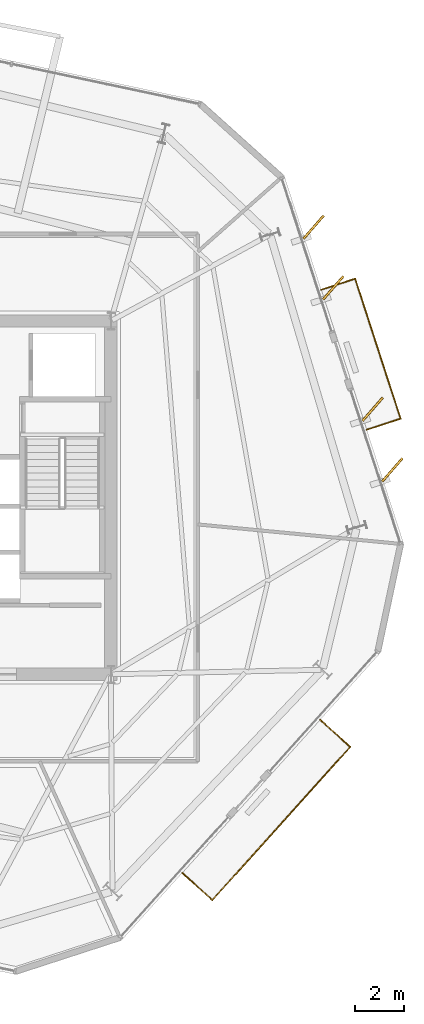
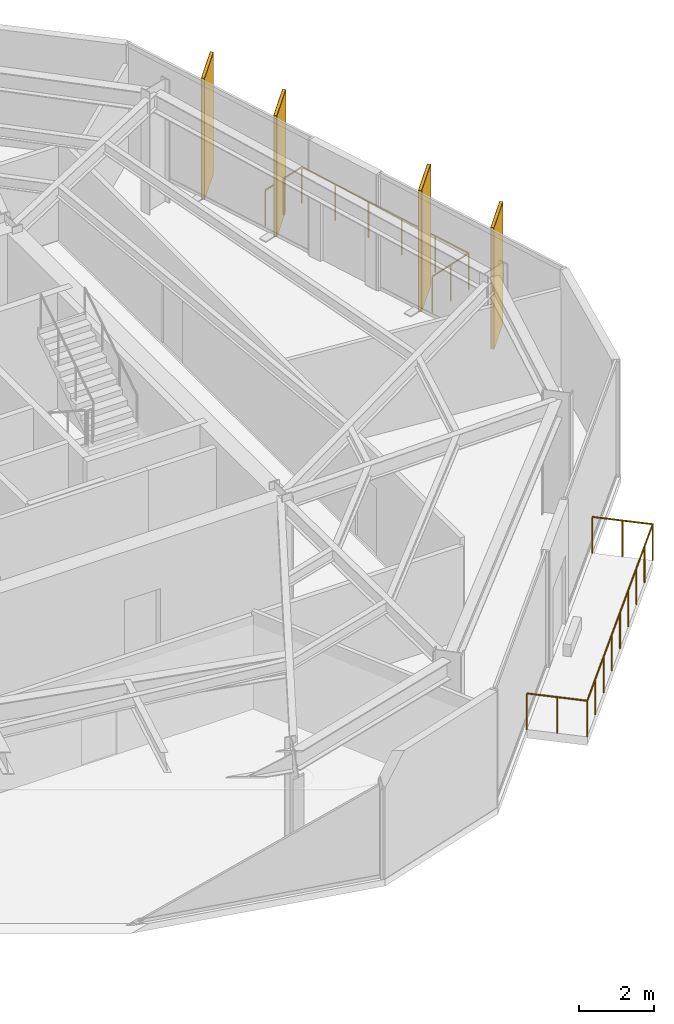
# One storey, part 11 of 11: 4 coverings, 4 shading devices, 2 railings.
"""IFC4 building model written with IfcOpenShell, lengths in metres."""

from ifc_helpers import new_model, si_unit, direction, frame, origin, origin_2d, place, context, subcontext, project, spatial, rectangle, circle, extrude, material, layer, layer_set, type_object, element, save


model = new_model("IFC4")

# Units and contexts
model_context = context("Model", 3, precision=1e-05, world=origin(), true_north=direction((0.0, 1.0)))
body_context = subcontext(model_context, "Body", "Model", "MODEL_VIEW")
ifc_project = project(units=[si_unit("LENGTHUNIT", "METRE"), si_unit("AREAUNIT", "SQUARE_METRE"), si_unit("VOLUMEUNIT", "CUBIC_METRE"), si_unit("PLANEANGLEUNIT", "RADIAN"), si_unit("MASSUNIT", "GRAM", prefix="KILO")], contexts=[model_context])

# Site, building, storey
site_placement = place(None, origin())
site = spatial("IfcSite", under=ifc_project, at=site_placement, CompositionType="ELEMENT")
building_placement = place(site_placement, origin())
building = spatial("IfcBuilding", under=site, at=building_placement, Name="Kranzbogen Civic Tower", CompositionType="ELEMENT")
storey_placement = place(building_placement, frame((0.0, 0.0, 216.800048828125)))
storey = spatial("IfcBuildingStorey", under=building, at=storey_placement, Name="L52", CompositionType="ELEMENT", Elevation=216.800048828125)

# Coverings
ifc_material_1 = material(Name="Pale Anodised Aluminium", Category="aluminium")
ifc_layer = layer(ifc_material_1, 0.02490234375, Name="Pale Anodised Aluminium")
ifc_layer_set = layer_set([ifc_layer], Name="Pale Anodised Aluminium")
covering_type = type_object("IfcCoveringType", Name="Anodised Aluminium Vertical Fin Cladding 25 mm", PredefinedType="CLADDING", material=ifc_layer_set)
for number, where, z_axis, x_axis, name in (
    (1, (44.279052734375, 26.135009765625, -0.14013671875), (0.0, 0.0, 1.0), (0.657322635543, 0.753609283915, 0.0), "L52 vertical fin pale-metal cladding F6-1"),
    (2, (43.47607421875, 28.60693359375, -0.14013671875), (0.0, 0.0, 1.0), (0.657322635543, 0.753609283915, 0.0), "L52 vertical fin pale-metal cladding F6-2"),
    (3, (41.868896484375, 33.552978515625, -0.14013671875), (0.0, 0.0, 1.0), (0.657322635543, 0.753609283915, 0.0), "L52 vertical fin pale-metal cladding F6-4"),
    (4, (41.06591796875, 36.02587890625, -0.14013671875), (0.0, 0.0, 1.0), (0.657322635543, 0.753609283915, 0.0), "L52 vertical fin pale-metal cladding F6-5"),
):
    element("IfcCovering", number, at=place(storey_placement, frame(where, z_axis=z_axis, x_axis=x_axis)), inside=storey, type_object=covering_type, Name=name, PredefinedType="CLADDING", context=body_context, shape_type="SweptSolid", body=[
        extrude(rectangle(XDim=1.25, YDim=0.10009765625, at=origin_2d()), origin(), (0.0, 0.0, 1.0), 3.9599609375),
    ])

# Shading devices
ifc_material_2 = material(Name="Anodised Bronze Aluminium", Category="aluminium")
shading_device_type = type_object("IfcShadingDeviceType", Name="Anodised Bronze Vertical Facade Fin 1250x80", PredefinedType="USERDEFINED", material=ifc_material_2)
for number, where, z_axis, x_axis, name in (
    (5, (44.279052734375, 26.135009765625, -0.14013671875), (0.0, 0.0, 1.0), (0.657322635543, 0.753609283915, 0.0), "L52 vertical exterior shading fin F6-1"),
    (6, (43.47607421875, 28.60693359375, -0.14013671875), (0.0, 0.0, 1.0), (0.657322635543, 0.753609283915, 0.0), "L52 vertical exterior shading fin F6-2"),
    (7, (41.868896484375, 33.552978515625, -0.14013671875), (0.0, 0.0, 1.0), (0.657322635543, 0.753609283915, 0.0), "L52 vertical exterior shading fin F6-4"),
    (8, (41.06591796875, 36.02587890625, -0.14013671875), (0.0, 0.0, 1.0), (0.657322635543, 0.753609283915, 0.0), "L52 vertical exterior shading fin F6-5"),
):
    element("IfcShadingDevice", number, at=place(storey_placement, frame(where, z_axis=z_axis, x_axis=x_axis)), inside=storey, type_object=shading_device_type, Name=name, ObjectType="FIN", PredefinedType="USERDEFINED", context=body_context, shape_type="SweptSolid", body=[
        extrude(rectangle(XDim=1.25, YDim=0.080078125, at=origin_2d()), origin(), (0.0, 0.0, 1.0), 3.9599609375),
    ])

# Railings
railing_type = type_object("IfcRailingType", Name="Cantilevered Balcony Glass and Bronze Balustrade 1200", PredefinedType="BALUSTRADE", material=ifc_material_2)
railing_1_placement = place(storey_placement, frame((43.236083984375, 27.77099609375, 0.0)))
element("IfcRailing", 9, at=railing_1_placement, inside=storey, type_object=railing_type, Name="L52 exterior terrace balustrade L52-TB1", PredefinedType="BALUSTRADE", context=body_context, shape_type="SweptSolid", body=[
    extrude(circle(Radius=0.02392578125, at=origin_2d()), frame((0.0, 0.0, 1.17578125), z_axis=(0.951063763333, 0.308994689397, 0.0), x_axis=(-0.308994689397, 0.951063763333, 0.0)), (0.0, 0.0, 1.0), 1.449951171875),
    extrude(circle(Radius=0.02392578125, at=origin_2d()), frame((1.37890625, 0.447998046875, 1.17578125), z_axis=(-0.309016142662, 0.951056793033, 0.0), x_axis=(-0.951056793033, -0.309016142662, 0.0)), (0.0, 0.0, 1.0), 5.999755859375),
    extrude(circle(Radius=0.02392578125, at=origin_2d()), frame((-0.47509765625, 6.154052734375, 1.17578125), z_axis=(-0.951063763333, -0.308994689397, 0.0), x_axis=(0.308994689397, -0.951063763333, 0.0)), (0.0, 0.0, 1.0), 1.449951171875),
    extrude(circle(Radius=0.02099609375, at=origin_2d()), origin(), (0.0, 0.0, 1.0), 1.15185546875),
    extrude(circle(Radius=0.02099609375, at=origin_2d()), frame((0.689453125, 0.22412109375, 0.0)), (0.0, 0.0, 1.0), 1.15185546875),
    extrude(circle(Radius=0.02099609375, at=origin_2d()), frame((1.37890625, 0.447998046875, 0.0)), (0.0, 0.0, 1.0), 1.15185546875),
    extrude(circle(Radius=0.02099609375, at=origin_2d()), frame((1.008056640625, 1.589111328125, 0.0)), (0.0, 0.0, 1.0), 1.15185546875),
    extrude(circle(Radius=0.02099609375, at=origin_2d()), frame((0.63720703125, 2.73046875, 0.0)), (0.0, 0.0, 1.0), 1.15185546875),
    extrude(circle(Radius=0.02099609375, at=origin_2d()), frame((0.2666015625, 3.87158203125, 0.0)), (0.0, 0.0, 1.0), 1.15185546875),
    extrude(circle(Radius=0.02099609375, at=origin_2d()), frame((-0.104248046875, 5.012939453125, 0.0)), (0.0, 0.0, 1.0), 1.15185546875),
    extrude(circle(Radius=0.02099609375, at=origin_2d()), frame((-0.47509765625, 6.154052734375, 0.0)), (0.0, 0.0, 1.0), 1.15185546875),
    extrude(circle(Radius=0.02099609375, at=origin_2d()), frame((-1.16455078125, 5.93017578125, 0.0)), (0.0, 0.0, 1.0), 1.15185546875),
    extrude(circle(Radius=0.02099609375, at=origin_2d()), frame((-1.85400390625, 5.7060546875, 0.0)), (0.0, 0.0, 1.0), 1.15185546875),
])
railing_2_placement = place(storey_placement, frame((35.715087890625, 9.700927734375, 0.0)))
element("IfcRailing", 10, at=railing_2_placement, inside=storey, type_object=railing_type, Name="L52 exterior terrace balustrade L52-ST", PredefinedType="BALUSTRADE", context=body_context, shape_type="SweptSolid", body=[
    extrude(circle(Radius=0.02392578125, at=origin_2d()), frame((0.0, 0.0, 1.17578125), z_axis=(0.743065983333, -0.669218159058, 0.0), x_axis=(0.669218159058, 0.743065983333, 0.0)), (0.0, 0.0, 1.0), 1.649658203125),
    extrude(circle(Radius=0.02392578125, at=origin_2d()), frame((1.225830078125, -1.10400390625, 1.17578125), z_axis=(0.669170241733, 0.743109135712, 0.0), x_axis=(-0.743109135712, 0.669170241733, 0.0)), (0.0, 0.0, 1.0), 8.400146484375),
    extrude(circle(Radius=0.02392578125, at=origin_2d()), frame((6.846923828125, 5.13818359375, 1.17578125), z_axis=(-0.74313225089, 0.66914457159, 0.0), x_axis=(-0.66914457159, -0.74313225089, 0.0)), (0.0, 0.0, 1.0), 1.64990234375),
    extrude(circle(Radius=0.02099609375, at=origin_2d()), origin(), (0.0, 0.0, 1.0), 1.15185546875),
    extrude(circle(Radius=0.02099609375, at=origin_2d()), frame((0.61279296875, -0.552001953125, 0.0)), (0.0, 0.0, 1.0), 1.15185546875),
    extrude(circle(Radius=0.02099609375, at=origin_2d()), frame((1.225830078125, -1.10400390625, 0.0)), (0.0, 0.0, 1.0), 1.15185546875),
    extrude(circle(Radius=0.02099609375, at=origin_2d()), frame((1.928466796875, -0.32373046875, 0.0)), (0.0, 0.0, 1.0), 1.15185546875),
    extrude(circle(Radius=0.02099609375, at=origin_2d()), frame((2.631103515625, 0.45654296875, 0.0)), (0.0, 0.0, 1.0), 1.15185546875),
    extrude(circle(Radius=0.02099609375, at=origin_2d()), frame((3.333740234375, 1.23681640625, 0.0)), (0.0, 0.0, 1.0), 1.15185546875),
    extrude(circle(Radius=0.02099609375, at=origin_2d()), frame((4.036376953125, 2.01708984375, 0.0)), (0.0, 0.0, 1.0), 1.15185546875),
    extrude(circle(Radius=0.02099609375, at=origin_2d()), frame((4.739013671875, 2.79736328125, 0.0)), (0.0, 0.0, 1.0), 1.15185546875),
    extrude(circle(Radius=0.02099609375, at=origin_2d()), frame((5.441650390625, 3.57763671875, 0.0)), (0.0, 0.0, 1.0), 1.15185546875),
    extrude(circle(Radius=0.02099609375, at=origin_2d()), frame((6.144287109375, 4.35791015625, 0.0)), (0.0, 0.0, 1.0), 1.15185546875),
    extrude(circle(Radius=0.02099609375, at=origin_2d()), frame((6.846923828125, 5.13818359375, 0.0)), (0.0, 0.0, 1.0), 1.15185546875),
    extrude(circle(Radius=0.02099609375, at=origin_2d()), frame((6.23388671875, 5.690185546875, 0.0)), (0.0, 0.0, 1.0), 1.15185546875),
    extrude(circle(Radius=0.02099609375, at=origin_2d()), frame((5.620849609375, 6.2421875, 0.0)), (0.0, 0.0, 1.0), 1.15185546875),
])

save(model, "model.ifc")
